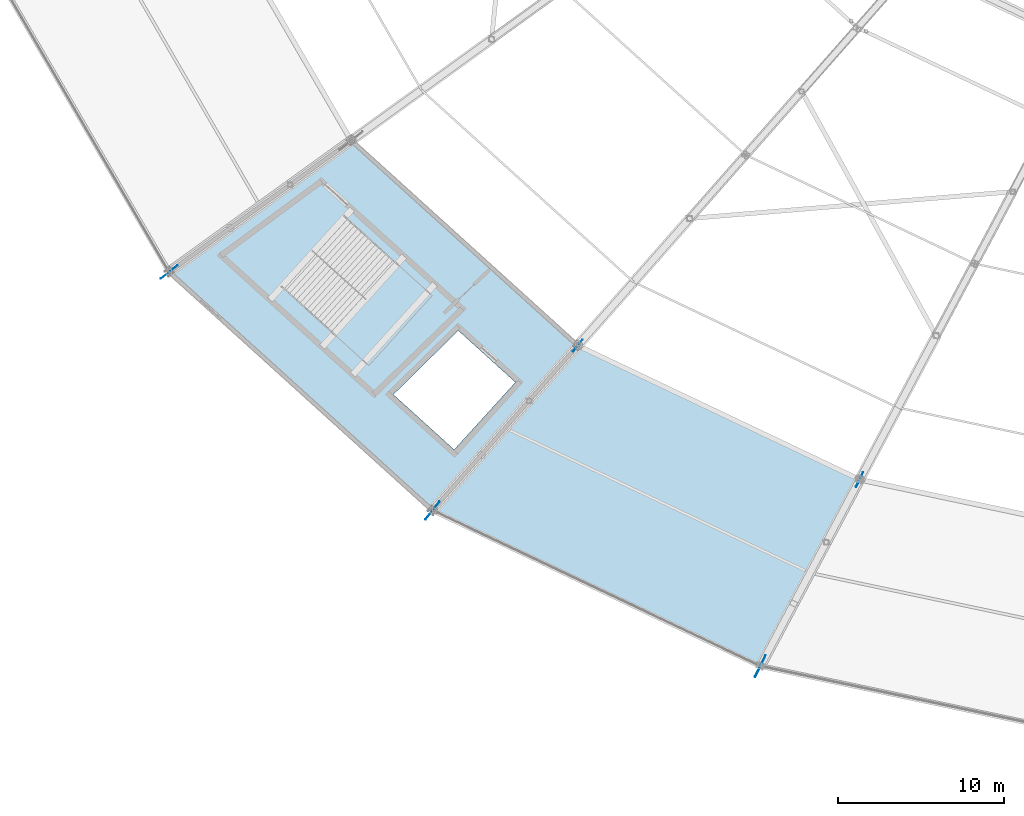
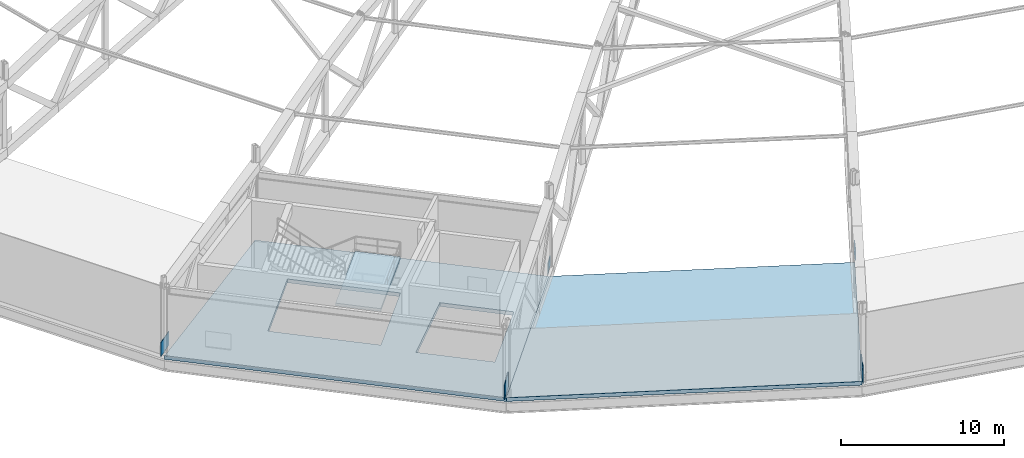
# One storey, part 138 of 162: 5 plates, 3 slabs, 1 element without a shape of its own.
"""IFC4 building model written with IfcOpenShell, lengths in metres."""

from ifc_helpers import new_model, si_unit, direction, frame, origin, origin_2d, place, context, subcontext, project, spatial, polyline, rectangle, outline, extrude, material, layer, layer_set, type_object, element, aggregate, save


model = new_model("IFC4")

# Units and contexts
model_context = context("Model", 3, precision=1e-05, world=origin(), true_north=direction((0.0, 1.0)))
body_context = subcontext(model_context, "Body", "Model", "MODEL_VIEW")
ifc_project = project(units=[si_unit("LENGTHUNIT", "METRE"), si_unit("AREAUNIT", "SQUARE_METRE"), si_unit("VOLUMEUNIT", "CUBIC_METRE"), si_unit("PLANEANGLEUNIT", "RADIAN"), si_unit("MASSUNIT", "GRAM", prefix="KILO")], contexts=[model_context])

# Site, building, storey
site_placement = place(None, origin())
site = spatial("IfcSite", under=ifc_project, at=site_placement, CompositionType="ELEMENT")
building_placement = place(site_placement, origin())
building = spatial("IfcBuilding", under=site, at=building_placement, Name="Kazemori Nagisa Stadium", CompositionType="ELEMENT")
storey_placement = place(building_placement, frame((0.0, 0.0, 36.719970703125)))
storey = spatial("IfcBuildingStorey", under=building, at=storey_placement, Name="RF", CompositionType="ELEMENT", Elevation=36.719970703125)

# Plates
ifc_material_1 = material(Name="Steel SN490B", Category="steel")
ifc_layer_1 = layer(ifc_material_1, 0.035888671875, Name="Steel SN490B", Category="steel")
ifc_layer_set_1 = layer_set([ifc_layer_1], Name="Steel SN490B")
plate_type_1 = type_object("IfcPlateType", Name="GussetPlate_GP-01", PredefinedType="SHEET", material=ifc_layer_set_1)
plate_1_placement = place(storey_placement, frame((69.165771484375, 40.88916015625, 0.47998046875), z_axis=(0.0, 0.0, 1.0), x_axis=(-0.623489801853, -0.781831482473, 0.0)))
element("IfcPlate", 1, at=plate_1_placement, inside=storey, type_object=plate_type_1, Name="Roof truss anchor gusset plate GP-01 RT-19-R2", PredefinedType="SHEET", context=body_context, shape_type="SweptSolid", body=[
    extrude(rectangle(XDim=0.89990234375, YDim=0.035888671875, at=origin_2d()), origin(), (0.0, 0.0, 1.0), 0.75),
])
ifc_layer_2 = layer(ifc_material_1, 0.0400390625, Name="Steel SN490B", Category="steel")
ifc_layer_set_2 = layer_set([ifc_layer_2], Name="Steel SN490B")
plate_type_2 = type_object("IfcPlateType", Name="GussetPlate_GP-02", PredefinedType="SHEET", material=ifc_layer_set_2)
plate_2_placement = place(storey_placement, frame((86.18798828125, 32.80078125, 0.47998046875), z_axis=(0.0, 0.0, 1.0), x_axis=(-0.433883739113, -0.900968867905, 0.0)))
element("IfcPlate", 2, at=plate_2_placement, inside=storey, type_object=plate_type_2, Name="Roof truss anchor gusset plate GP-02 RT-20-R2", PredefinedType="SHEET", context=body_context, shape_type="SweptSolid", body=[
    extrude(rectangle(XDim=0.97998046875, YDim=0.0400390625, at=origin_2d()), origin(), (0.0, 0.0, 1.0), 0.81005859375),
])
ifc_layer_3 = layer(ifc_material_1, 0.0400390625, Name="Steel SN490B", Category="steel")
ifc_layer_set_3 = layer_set([ifc_layer_3], Name="Steel SN490B")
plate_type_3 = type_object("IfcPlateType", Name="GussetPlate_GP-06", PredefinedType="SHEET", material=ifc_layer_set_3)
plate_3_placement = place(storey_placement, frame((44.504638671875, 45.332275390625, 0.35986328125), z_axis=(0.0, 0.0, 1.0), x_axis=(-0.781831482473, -0.623489801853, 0.0)))
element("IfcPlate", 3, at=plate_3_placement, inside=storey, type_object=plate_type_3, Name="Roof truss anchor gusset plate GP-06 RT-18-R3", PredefinedType="SHEET", context=body_context, shape_type="SweptSolid", body=[
    extrude(rectangle(XDim=1.300048828125, YDim=0.0400390625, at=origin_2d()), origin(), (0.0, 0.0, 1.0), 1.050048828125),
])
ifc_layer_4 = layer(ifc_material_1, 0.0439453125, Name="Steel SN490B", Category="steel")
ifc_layer_set_4 = layer_set([ifc_layer_4], Name="Steel SN490B")
plate_type_4 = type_object("IfcPlateType", Name="GussetPlate_GP-07", PredefinedType="SHEET", material=ifc_layer_set_4)
plate_4_placement = place(storey_placement, frame((60.402099609375, 30.94091796875, 0.35986328125), z_axis=(0.0, 0.0, 1.0), x_axis=(-0.623489801853, -0.781831482473, 0.0)))
element("IfcPlate", 4, at=plate_4_placement, inside=storey, type_object=plate_type_4, Name="Roof truss anchor gusset plate GP-07 RT-19-R3", PredefinedType="SHEET", context=body_context, shape_type="SweptSolid", body=[
    extrude(rectangle(XDim=1.3798828125, YDim=0.0439453125, at=origin_2d()), origin(), (0.0, 0.0, 1.0), 1.110107421875),
])
ifc_layer_5 = layer(ifc_material_1, 0.048095703125, Name="Steel SN490B", Category="steel")
ifc_layer_set_5 = layer_set([ifc_layer_5], Name="Steel SN490B")
plate_type_5 = type_object("IfcPlateType", Name="GussetPlate_GP-08", PredefinedType="SHEET", material=ifc_layer_set_5)
plate_5_placement = place(storey_placement, frame((80.1953125, 21.53564453125, 0.360107421875), z_axis=(0.0, 0.0, 1.0), x_axis=(-0.433883739113, -0.900968867905, 0.0)))
element("IfcPlate", 5, at=plate_5_placement, inside=storey, type_object=plate_type_5, Name="Roof truss anchor gusset plate GP-08 RT-20-R3", PredefinedType="SHEET", context=body_context, shape_type="SweptSolid", body=[
    extrude(rectangle(XDim=1.4599609375, YDim=0.048095703125, at=origin_2d()), origin(), (0.0, 0.0, 1.0), 1.169921875),
])

# Stair, slab
ifc_material_2 = material(Name="Concrete C36/45 (Fc36)", Category="concrete")
stair_type = type_object("IfcStairType", Name="Stair_CORE_32", PredefinedType="TWO_STRAIGHT_RUN_STAIR", material=ifc_material_2)
stair_placement = place(storey_placement, origin())
stair = element("IfcStair", 6, at=stair_placement, inside=storey, type_object=stair_type, Name="Exit stair ST03 RF", PredefinedType="TWO_STRAIGHT_RUN_STAIR")
ifc_layer_6 = layer(ifc_material_2, 0.199951171875, Name="Concrete C36/45 (Fc36)", Category="concrete")
ifc_layer_set_6 = layer_set([ifc_layer_6], Name="Concrete C36/45 (Fc36)")
slab_type_1 = type_object("IfcSlabType", Name="Slab_SL-LND-200", PredefinedType="LANDING", material=ifc_layer_set_6)
slab_1_placement = place(storey_placement, frame((0.0, 0.0, 2.52001953125)))
slab_1 = element("IfcSlab", 7, at=slab_1_placement, type_object=slab_type_1, Name="Exit stair ST03 RF mid-landing", PredefinedType="LANDING", context=body_context, shape_type="SweptSolid", body=[
    extrude(outline(polyline([(58.270751953125, 45.81689453125), (60.383544921875, 43.904052734375), (56.55810546875, 39.678466796875), (54.4453125, 41.591064453125), (58.270751953125, 45.81689453125)])), origin(), (0.0, 0.0, 1.0), 0.199951171875),
])
aggregate(stair, [slab_1])

# Slabs
ifc_layer_7 = layer(ifc_material_2, 0.280029296875, Name="Concrete C36/45 (Fc36)", Category="concrete")
ifc_layer_set_7 = layer_set([ifc_layer_7], Name="Concrete C36/45 (Fc36)")
slab_type_2 = type_object("IfcSlabType", Name="Slab_SL-RF-280", PredefinedType="FLOOR", material=ifc_layer_set_7)
slab_2_placement = place(storey_placement, frame((0.0, 0.0, -0.280029296875)))
element("IfcSlab", 8, at=slab_2_placement, inside=storey, type_object=slab_type_2, Name="Concourse floor slab RF bay 18", PredefinedType="FLOOR", context=body_context, shape_type="SweptSolid", body=[
    extrude(outline(polyline([(55.493896484375, 53.265869140625), (69.165771484375, 40.88916015625), (60.402099609375, 30.94091796875), (44.504638671875, 45.332275390625), (55.493896484375, 53.265869140625)]), holes=[polyline([(55.12353515625, 48.665771484375), (60.383544921875, 43.904052734375), (56.55810546875, 39.678466796875), (51.29833984375, 44.43994140625), (55.12353515625, 48.665771484375)]), polyline([(61.956298828125, 41.795654296875), (65.405517578125, 38.67333984375), (61.710205078125, 34.6103515625), (58.039794921875, 37.93310546875), (61.956298828125, 41.795654296875)])]), origin(), (0.0, 0.0, 1.0), 0.280029296875),
])
ifc_layer_8 = layer(ifc_material_2, 0.280029296875, Name="Concrete C36/45 (Fc36)", Category="concrete")
ifc_layer_set_8 = layer_set([ifc_layer_8], Name="Concrete C36/45 (Fc36)")
slab_type_3 = type_object("IfcSlabType", Name="Slab_SL-RF-GOND-280", PredefinedType="ROOF", material=ifc_layer_set_8)
slab_3_placement = place(storey_placement, frame((0.0, 0.0, -0.280029296875)))
element("IfcSlab", 9, at=slab_3_placement, inside=storey, type_object=slab_type_3, Name="Media gondola and high-core roof closure slab RF B19", PredefinedType="ROOF", context=body_context, shape_type="SweptSolid", body=[
    extrude(outline(polyline([(69.165771484375, 40.88916015625), (86.18798828125, 32.80078125), (80.1953125, 21.53564453125), (60.402099609375, 30.94091796875), (69.165771484375, 40.88916015625)])), origin(), (0.0, 0.0, 1.0), 0.280029296875),
])

save(model, "model.ifc")
